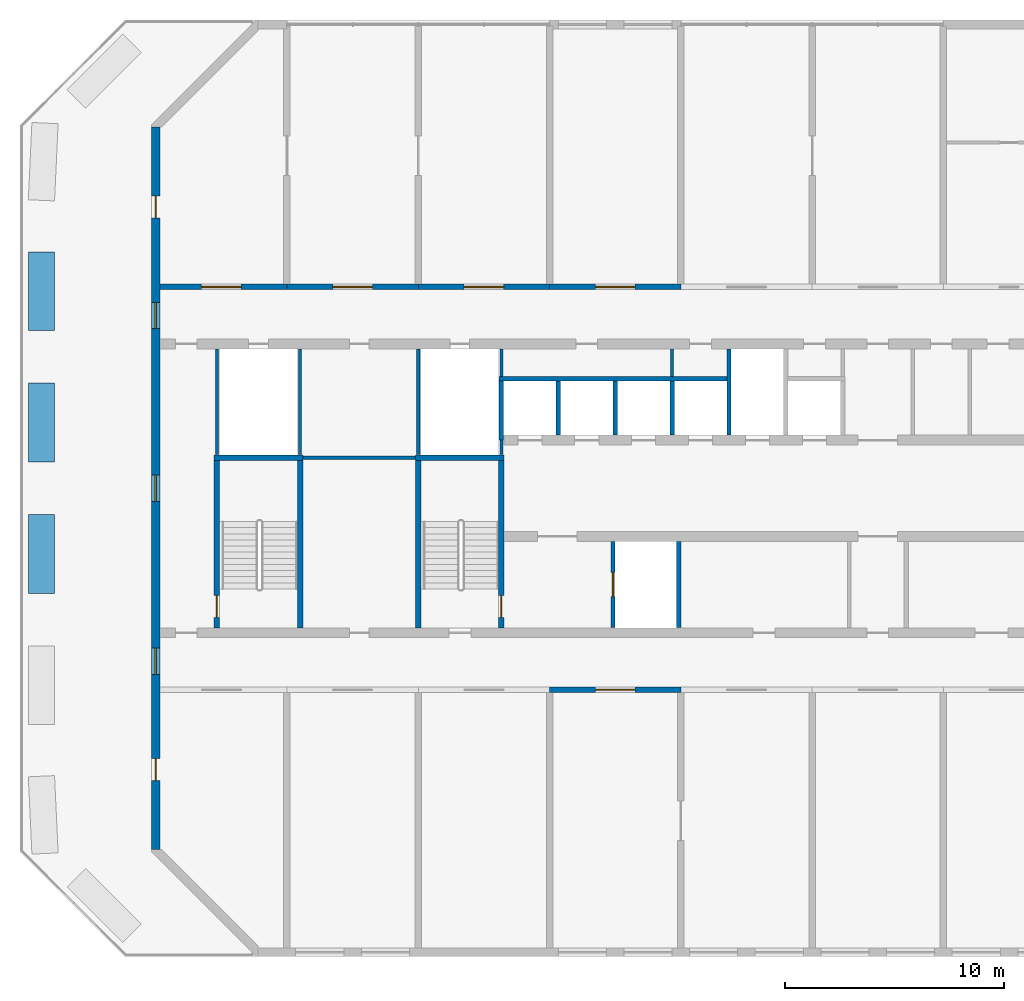
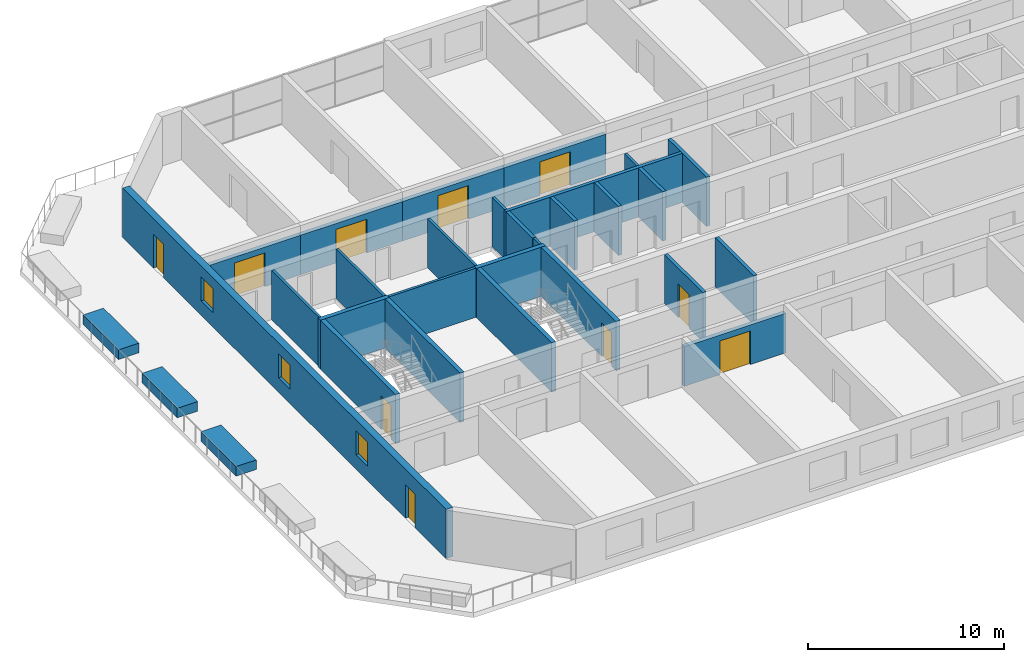
# One storey, part 4 of 14: 30 walls, 10 doors, 3 windows, 13 openings.
"""IFC4 building model written with IfcOpenShell, lengths in metres."""

from ifc_helpers import new_model, si_unit, direction, frame, frame_2d, origin, place, context, subcontext, project, spatial, polyline, rectangle, outline, extrude, source, transform, mapped, material, layer, layer_set, type_object, element, fill, save


model = new_model("IFC4")

# Units and contexts
model_context = context("Model", 3, precision=1e-05, world=origin(), true_north=direction((0.0, 1.0)))
body_context = subcontext(model_context, "Body", "Model", "MODEL_VIEW")
ifc_project = project(units=[si_unit("LENGTHUNIT", "METRE"), si_unit("AREAUNIT", "SQUARE_METRE"), si_unit("VOLUMEUNIT", "CUBIC_METRE"), si_unit("PLANEANGLEUNIT", "RADIAN"), si_unit("MASSUNIT", "GRAM", prefix="KILO")], contexts=[model_context])

# Site, building, storey
site_placement = place(None, origin())
site = spatial("IfcSite", under=ifc_project, at=site_placement, CompositionType="ELEMENT")
building_placement = place(site_placement, origin())
building = spatial("IfcBuilding", under=site, at=building_placement, Name="Poui Terraces", CompositionType="ELEMENT")
storey_placement = place(building_placement, frame((0.0, 0.0, 158.699951171875)))
storey = spatial("IfcBuildingStorey", under=building, at=storey_placement, Name="L44", CompositionType="ELEMENT", Elevation=158.699951171875)

# Wall, opening, door
ifc_material_1 = material(Name="Concrete 65 MPa", Category="concrete")
ifc_layer_1 = layer(ifc_material_1, 0.25)
ifc_layer_set_1 = layer_set([ifc_layer_1], Name="Concrete 65 MPa")
wall_type_1 = type_object("IfcWallType", Name="CORRIDOR WALL 250 65MPa", PredefinedType="SHEAR", material=ifc_layer_set_1)
wall_1_placement = place(storey_placement, frame((36.0, 12.0, 0.0), z_axis=(0.0, 0.0, 1.0), x_axis=(1.0, 0.0, 0.0)))
wall_1 = element("IfcWall", 1, at=wall_1_placement, inside=storey, type_object=wall_type_1, Name="CORRIDOR WALL LINE B BAY 4", PredefinedType="SHEAR", context=body_context, shape_type="SweptSolid", body=[
    extrude(rectangle(XDim=6.0, YDim=0.25, at=frame_2d((3.0, 0.0))), origin(), (0.0, 0.0, 1.0), 2.469970703125),
])
opening_1_placement = place(wall_1_placement, frame((2.10009765625, 0.0, 0.0)))
opening_1 = element("IfcOpeningElement", 2, at=opening_1_placement, cuts=wall_1, Name="Opening DD180", PredefinedType="OPENING", context=body_context, shape_type="SweptSolid", body=[
    extrude(rectangle(XDim=1.800048828125, YDim=2.10009765625, at=frame_2d((0.89990234375, 1.050048828125))), frame((0.0, 0.135009765625, 0.0), z_axis=(0.0, -1.0, 0.0), x_axis=(1.0, 0.0, 0.0)), (0.0, 0.0, 1.0), 0.27001953125),
])
ifc_material_2 = material(Name="Steel fire door", Category="steel")
door_type_1 = type_object("IfcDoorType", Name="DOUBLE INTERNAL DOOR 1800 X 2100", OperationType="DOUBLE_DOOR_SINGLE_SWING", PredefinedType="DOOR", material=ifc_material_2)
door_1_placement = place(opening_1_placement, origin())
door_1 = element("IfcDoor", 3, at=door_1_placement, inside=storey, type_object=door_type_1, Name="DOUBLE INTERNAL DOOR 035", OperationType="DOUBLE_DOOR_SINGLE_SWING", OverallHeight=2.10009765625, OverallWidth=1.800048828125, PredefinedType="DOOR", context=body_context, shape_type="SweptSolid", body=[
    extrude(rectangle(XDim=1.800048828125, YDim=2.10009765625, at=frame_2d((0.89990234375, 1.050048828125))), frame((0.0, 0.02490234375, 0.0), z_axis=(0.0, -1.0, 0.0), x_axis=(1.0, 0.0, 0.0)), (0.0, 0.0, 1.0), 0.050048828125),
])
fill(opening_1, door_1)

wall_2_placement = place(storey_placement, frame((18.199951171875, 30.39990234375, 0.0), z_axis=(0.0, 0.0, 1.0), x_axis=(1.0, 0.0, 0.0)))
wall_2 = element("IfcWall", 4, at=wall_2_placement, inside=storey, type_object=wall_type_1, Name="CORRIDOR WALL LINE E BAY 1", PredefinedType="SHEAR", context=body_context, shape_type="SweptSolid", body=[
    extrude(rectangle(XDim=5.800048828125, YDim=0.25, at=frame_2d((2.89990234375, 0.0))), origin(), (0.0, 0.0, 1.0), 2.469970703125),
])
opening_2_placement = place(wall_2_placement, frame((1.89990234375, 0.0, 0.0)))
opening_2 = element("IfcOpeningElement", 5, at=opening_2_placement, cuts=wall_2, Name="Opening DD180", PredefinedType="OPENING", context=body_context, shape_type="SweptSolid", body=[
    extrude(rectangle(XDim=1.800048828125, YDim=2.10009765625, at=frame_2d((0.89990234375, 1.050048828125))), frame((0.0, 0.135009765625, 0.0), z_axis=(0.0, -1.0, 0.0), x_axis=(1.0, 0.0, 0.0)), (0.0, 0.0, 1.0), 0.27001953125),
])
door_2_placement = place(opening_2_placement, frame((1.800048828125, 0.0, 0.0), z_axis=(0.0, 0.0, 1.0), x_axis=(-1.0, 0.0, 0.0)))
door_2 = element("IfcDoor", 6, at=door_2_placement, inside=storey, type_object=door_type_1, Name="DOUBLE INTERNAL DOOR 002", OperationType="DOUBLE_DOOR_SINGLE_SWING", OverallHeight=2.10009765625, OverallWidth=1.800048828125, PredefinedType="DOOR", context=body_context, shape_type="SweptSolid", body=[
    extrude(rectangle(XDim=1.800048828125, YDim=2.10009765625, at=frame_2d((0.89990234375, 1.050048828125))), frame((0.0, 0.02490234375, 0.0), z_axis=(0.0, -1.0, 0.0), x_axis=(1.0, 0.0, 0.0)), (0.0, 0.0, 1.0), 0.050048828125),
])
fill(opening_2, door_2)

wall_3_placement = place(storey_placement, frame((24.0, 30.39990234375, 0.0), z_axis=(0.0, 0.0, 1.0), x_axis=(1.0, 0.0, 0.0)))
wall_3 = element("IfcWall", 7, at=wall_3_placement, inside=storey, type_object=wall_type_1, Name="CORRIDOR WALL LINE E BAY 2", PredefinedType="SHEAR", context=body_context, shape_type="SweptSolid", body=[
    extrude(rectangle(XDim=6.0, YDim=0.25, at=frame_2d((3.0, 0.0))), origin(), (0.0, 0.0, 1.0), 2.469970703125),
])
opening_3_placement = place(wall_3_placement, frame((2.10009765625, 0.0, 0.0)))
opening_3 = element("IfcOpeningElement", 8, at=opening_3_placement, cuts=wall_3, Name="Opening DD180", PredefinedType="OPENING", context=body_context, shape_type="SweptSolid", body=[
    extrude(rectangle(XDim=1.800048828125, YDim=2.10009765625, at=frame_2d((0.89990234375, 1.050048828125))), frame((0.0, 0.135009765625, 0.0), z_axis=(0.0, -1.0, 0.0), x_axis=(1.0, 0.0, 0.0)), (0.0, 0.0, 1.0), 0.27001953125),
])
door_3_placement = place(opening_3_placement, frame((1.800048828125, 0.0, 0.0), z_axis=(0.0, 0.0, 1.0), x_axis=(-1.0, 0.0, 0.0)))
door_3 = element("IfcDoor", 9, at=door_3_placement, inside=storey, type_object=door_type_1, Name="DOUBLE INTERNAL DOOR 004", OperationType="DOUBLE_DOOR_SINGLE_SWING", OverallHeight=2.10009765625, OverallWidth=1.800048828125, PredefinedType="DOOR", context=body_context, shape_type="SweptSolid", body=[
    extrude(rectangle(XDim=1.800048828125, YDim=2.10009765625, at=frame_2d((0.89990234375, 1.050048828125))), frame((0.0, 0.02490234375, 0.0), z_axis=(0.0, -1.0, 0.0), x_axis=(1.0, 0.0, 0.0)), (0.0, 0.0, 1.0), 0.050048828125),
])
fill(opening_3, door_3)

wall_4_placement = place(storey_placement, frame((30.0, 30.39990234375, 0.0), z_axis=(0.0, 0.0, 1.0), x_axis=(1.0, 0.0, 0.0)))
wall_4 = element("IfcWall", 10, at=wall_4_placement, inside=storey, type_object=wall_type_1, Name="CORRIDOR WALL LINE E BAY 3", PredefinedType="SHEAR", context=body_context, shape_type="SweptSolid", body=[
    extrude(rectangle(XDim=6.0, YDim=0.25, at=frame_2d((3.0, 0.0))), origin(), (0.0, 0.0, 1.0), 2.469970703125),
])
opening_4_placement = place(wall_4_placement, frame((2.10009765625, 0.0, 0.0)))
opening_4 = element("IfcOpeningElement", 11, at=opening_4_placement, cuts=wall_4, Name="Opening DD180", PredefinedType="OPENING", context=body_context, shape_type="SweptSolid", body=[
    extrude(rectangle(XDim=1.800048828125, YDim=2.10009765625, at=frame_2d((0.89990234375, 1.050048828125))), frame((0.0, 0.135009765625, 0.0), z_axis=(0.0, -1.0, 0.0), x_axis=(1.0, 0.0, 0.0)), (0.0, 0.0, 1.0), 0.27001953125),
])
door_4_placement = place(opening_4_placement, frame((1.800048828125, 0.0, 0.0), z_axis=(0.0, 0.0, 1.0), x_axis=(-1.0, 0.0, 0.0)))
door_4 = element("IfcDoor", 12, at=door_4_placement, inside=storey, type_object=door_type_1, Name="DOUBLE INTERNAL DOOR 007", OperationType="DOUBLE_DOOR_SINGLE_SWING", OverallHeight=2.10009765625, OverallWidth=1.800048828125, PredefinedType="DOOR", context=body_context, shape_type="SweptSolid", body=[
    extrude(rectangle(XDim=1.800048828125, YDim=2.10009765625, at=frame_2d((0.89990234375, 1.050048828125))), frame((0.0, 0.02490234375, 0.0), z_axis=(0.0, -1.0, 0.0), x_axis=(1.0, 0.0, 0.0)), (0.0, 0.0, 1.0), 0.050048828125),
])
fill(opening_4, door_4)

wall_5_placement = place(storey_placement, frame((36.0, 30.39990234375, 0.0), z_axis=(0.0, 0.0, 1.0), x_axis=(1.0, 0.0, 0.0)))
wall_5 = element("IfcWall", 13, at=wall_5_placement, inside=storey, type_object=wall_type_1, Name="CORRIDOR WALL LINE E BAY 4", PredefinedType="SHEAR", context=body_context, shape_type="SweptSolid", body=[
    extrude(rectangle(XDim=6.0, YDim=0.25, at=frame_2d((3.0, 0.0))), origin(), (0.0, 0.0, 1.0), 2.469970703125),
])
opening_5_placement = place(wall_5_placement, frame((2.10009765625, 0.0, 0.0)))
opening_5 = element("IfcOpeningElement", 14, at=opening_5_placement, cuts=wall_5, Name="Opening DD180", PredefinedType="OPENING", context=body_context, shape_type="SweptSolid", body=[
    extrude(rectangle(XDim=1.800048828125, YDim=2.10009765625, at=frame_2d((0.89990234375, 1.050048828125))), frame((0.0, 0.135009765625, 0.0), z_axis=(0.0, -1.0, 0.0), x_axis=(1.0, 0.0, 0.0)), (0.0, 0.0, 1.0), 0.27001953125),
])
door_5_placement = place(opening_5_placement, frame((1.800048828125, 0.0, 0.0), z_axis=(0.0, 0.0, 1.0), x_axis=(-1.0, 0.0, 0.0)))
door_5 = element("IfcDoor", 15, at=door_5_placement, inside=storey, type_object=door_type_1, Name="DOUBLE INTERNAL DOOR 009", OperationType="DOUBLE_DOOR_SINGLE_SWING", OverallHeight=2.10009765625, OverallWidth=1.800048828125, PredefinedType="DOOR", context=body_context, shape_type="SweptSolid", body=[
    extrude(rectangle(XDim=1.800048828125, YDim=2.10009765625, at=frame_2d((0.89990234375, 1.050048828125))), frame((0.0, 0.02490234375, 0.0), z_axis=(0.0, -1.0, 0.0), x_axis=(1.0, 0.0, 0.0)), (0.0, 0.0, 1.0), 0.050048828125),
])
fill(opening_5, door_5)

# Wall, openings, doors, windows
ifc_layer_2 = layer(ifc_material_1, 0.39990234375)
ifc_layer_set_2 = layer_set([ifc_layer_2], Name="Concrete 65 MPa")
wall_type_2 = type_object("IfcWallType", Name="END WALL 400 65MPa", PredefinedType="SHEAR", material=ifc_layer_set_2)
wall_6_placement = place(storey_placement, frame((18.0, 4.682861328125, 0.0), z_axis=(0.0, 0.0, 1.0), x_axis=(0.0, 1.0, 0.0)))
wall_6 = element("IfcWall", 16, at=wall_6_placement, inside=storey, type_object=wall_type_2, Name="END WALL WEST", PredefinedType="SHEAR", context=body_context, shape_type="SweptSolid", body=[
    extrude(rectangle(XDim=33.034423828125, YDim=0.39990234375, at=frame_2d((16.51708984375, 0.0))), origin(), (0.0, 0.0, 1.0), 3.070068359375),
])
opening_6_placement = place(wall_6_placement, frame((23.817138671875, 0.0, 0.89990234375)))
opening_6 = element("IfcOpeningElement", 17, at=opening_6_placement, cuts=wall_6, Name="Opening W2", PredefinedType="OPENING", context=body_context, shape_type="SweptSolid", body=[
    extrude(rectangle(XDim=1.199951171875, YDim=1.5, at=frame_2d((0.60009765625, 0.75))), frame((0.0, 0.2099609375, 0.0), z_axis=(0.0, -1.0, 0.0), x_axis=(1.0, 0.0, 0.0)), (0.0, 0.0, 1.0), 0.419921875),
])
opening_7_placement = place(wall_6_placement, frame((8.01708984375, 0.0, 0.89990234375)))
opening_7 = element("IfcOpeningElement", 18, at=opening_7_placement, cuts=wall_6, Name="Opening W2", PredefinedType="OPENING", context=body_context, shape_type="SweptSolid", body=[
    extrude(rectangle(XDim=1.199951171875, YDim=1.5, at=frame_2d((0.60009765625, 0.75))), frame((0.0, 0.2099609375, 0.0), z_axis=(0.0, -1.0, 0.0), x_axis=(1.0, 0.0, 0.0)), (0.0, 0.0, 1.0), 0.419921875),
])
opening_8_placement = place(wall_6_placement, frame((15.917236328125, 0.0, 0.89990234375)))
opening_8 = element("IfcOpeningElement", 19, at=opening_8_placement, cuts=wall_6, Name="Opening W2", PredefinedType="OPENING", context=body_context, shape_type="SweptSolid", body=[
    extrude(rectangle(XDim=1.199951171875, YDim=1.5, at=frame_2d((0.60009765625, 0.75))), frame((0.0, 0.2099609375, 0.0), z_axis=(0.0, -1.0, 0.0), x_axis=(1.0, 0.0, 0.0)), (0.0, 0.0, 1.0), 0.419921875),
])
opening_9_placement = place(wall_6_placement, frame((28.875732421875, 0.0, 0.0)))
opening_9 = element("IfcOpeningElement", 20, at=opening_9_placement, cuts=wall_6, Name="Opening XD100", PredefinedType="OPENING", context=body_context, shape_type="SweptSolid", body=[
    extrude(rectangle(XDim=1.0, YDim=2.10009765625, at=frame_2d((0.5, 1.050048828125))), frame((0.0, 0.2099609375, 0.0), z_axis=(0.0, -1.0, 0.0), x_axis=(1.0, 0.0, 0.0)), (0.0, 0.0, 1.0), 0.419921875),
])
opening_10_placement = place(wall_6_placement, frame((3.15869140625, 0.0, 0.0)))
opening_10 = element("IfcOpeningElement", 21, at=opening_10_placement, cuts=wall_6, Name="Opening XD100", PredefinedType="OPENING", context=body_context, shape_type="SweptSolid", body=[
    extrude(rectangle(XDim=1.0, YDim=2.10009765625, at=frame_2d((0.5, 1.050048828125))), frame((0.0, 0.2099609375, 0.0), z_axis=(0.0, -1.0, 0.0), x_axis=(1.0, 0.0, 0.0)), (0.0, 0.0, 1.0), 0.419921875),
])
ifc_material_3 = material(Name="Aluminium glazed door", Category="aluminium")
door_type_2 = type_object("IfcDoorType", Name="EXTERNAL DOOR 1000 X 2100", OperationType="NOTDEFINED", PredefinedType="DOOR", material=ifc_material_3)
door_6_placement = place(opening_9_placement, origin())
door_6 = element("IfcDoor", 22, at=door_6_placement, inside=storey, type_object=door_type_2, Name="EXTERNAL DOOR 049", OperationType="SINGLE_SWING_RIGHT", OverallHeight=2.10009765625, OverallWidth=1.0, PredefinedType="DOOR", context=body_context, shape_type="SweptSolid", body=[
    extrude(rectangle(XDim=1.0, YDim=2.10009765625, at=frame_2d((0.5, 1.050048828125))), frame((0.0, 0.02490234375, 0.0), z_axis=(0.0, -1.0, 0.0), x_axis=(1.0, 0.0, 0.0)), (0.0, 0.0, 1.0), 0.050048828125),
])
fill(opening_9, door_6)
door_7_placement = place(opening_10_placement, origin())
door_7 = element("IfcDoor", 23, at=door_7_placement, inside=storey, type_object=door_type_2, Name="EXTERNAL DOOR 058", OperationType="SINGLE_SWING_RIGHT", OverallHeight=2.10009765625, OverallWidth=1.0, PredefinedType="DOOR", context=body_context, shape_type="SweptSolid", body=[
    extrude(rectangle(XDim=1.0, YDim=2.10009765625, at=frame_2d((0.5, 1.050048828125))), frame((0.0, 0.02490234375, 0.0), z_axis=(0.0, -1.0, 0.0), x_axis=(1.0, 0.0, 0.0)), (0.0, 0.0, 1.0), 0.050048828125),
])
fill(opening_10, door_7)
ifc_material_4 = material(Name="Clear glass in aluminium frame", Category="aluminium")
window_type = type_object("IfcWindowType", Name="WINDOW 1200X1500", PartitioningType="SINGLE_PANEL", PredefinedType="WINDOW", material=ifc_material_4)
window_1_placement = place(opening_6_placement, origin())
window_1 = element("IfcWindow", 24, at=window_1_placement, inside=storey, type_object=window_type, Name="W2 WINDOW", OverallHeight=1.5, OverallWidth=1.199951171875, PartitioningType="SINGLE_PANEL", PredefinedType="WINDOW", context=body_context, shape_type="SweptSolid", body=[
    extrude(rectangle(XDim=1.199951171875, YDim=1.5, at=frame_2d((0.60009765625, 0.75))), frame((0.0, 0.030029296875, 0.0), z_axis=(0.0, -1.0, 0.0), x_axis=(1.0, 0.0, 0.0)), (0.0, 0.0, 1.0), 0.06005859375),
])
fill(opening_6, window_1)
window_2_placement = place(opening_7_placement, origin())
window_2 = element("IfcWindow", 25, at=window_2_placement, inside=storey, type_object=window_type, Name="W2 WINDOW", OverallHeight=1.5, OverallWidth=1.199951171875, PartitioningType="SINGLE_PANEL", PredefinedType="WINDOW", context=body_context, shape_type="SweptSolid", body=[
    extrude(rectangle(XDim=1.199951171875, YDim=1.5, at=frame_2d((0.60009765625, 0.75))), frame((0.0, 0.030029296875, 0.0), z_axis=(0.0, -1.0, 0.0), x_axis=(1.0, 0.0, 0.0)), (0.0, 0.0, 1.0), 0.06005859375),
])
fill(opening_7, window_2)
window_3_placement = place(opening_8_placement, origin())
window_3 = element("IfcWindow", 26, at=window_3_placement, inside=storey, type_object=window_type, Name="W2 WINDOW", OverallHeight=1.5, OverallWidth=1.199951171875, PartitioningType="SINGLE_PANEL", PredefinedType="WINDOW", context=body_context, shape_type="SweptSolid", body=[
    extrude(rectangle(XDim=1.199951171875, YDim=1.5, at=frame_2d((0.60009765625, 0.75))), frame((0.0, 0.030029296875, 0.0), z_axis=(0.0, -1.0, 0.0), x_axis=(1.0, 0.0, 0.0)), (0.0, 0.0, 1.0), 0.06005859375),
])
fill(opening_8, window_3)

# Walls
ifc_material_5 = material(Name="Plasterboard partition")
ifc_layer_3 = layer(ifc_material_5, 0.14990234375)
ifc_layer_set_3 = layer_set([ifc_layer_3], Name="Plasterboard partition")
wall_type_3 = type_object("IfcWallType", Name="PARTITION WALL 150", PredefinedType="PARTITIONING", material=ifc_layer_set_3)
wall_7_placement = place(storey_placement, frame((24.735107421875, 22.60009765625, 0.0), z_axis=(0.0, 0.0, 1.0), x_axis=(1.0, 0.0, 0.0)))
element("IfcWall", 27, at=wall_7_placement, inside=storey, type_object=wall_type_3, Name="PARTITION WALL 150", PredefinedType="PARTITIONING", context=body_context, shape_type="SweptSolid", body=[
    extrude(rectangle(XDim=5.1298828125, YDim=0.14990234375, at=frame_2d((2.56494140625, 0.0))), origin(), (0.0, 0.0, 1.0), 3.070068359375),
])
wall_8_placement = place(storey_placement, frame((41.60009765625, 26.300048828125, 0.0), z_axis=(0.0, 0.0, 1.0), x_axis=(0.0, 1.0, 0.0)))
element("IfcWall", 28, at=wall_8_placement, inside=storey, type_object=wall_type_3, Name="PARTITION WALL 150", PredefinedType="PARTITIONING", context=body_context, shape_type="SweptSolid", body=[
    extrude(rectangle(XDim=1.264892578125, YDim=0.14990234375, at=frame_2d((0.63232421875, 0.0))), origin(), (0.0, 0.0, 1.0), 3.070068359375),
])
ifc_material_6 = material(Name="Fire-rated plasterboard riser wall")
ifc_layer_4 = layer(ifc_material_6, 0.14990234375)
ifc_layer_set_4 = layer_set([ifc_layer_4], Name="Fire-rated plasterboard riser wall")
wall_type_4 = type_object("IfcWallType", Name="RISER WALL 150", PredefinedType="PARTITIONING", material=ifc_layer_set_4)
for number, where, z_axis, x_axis, name in (
    (29, (20.800048828125, 22.735107421875, 0.0), (0.0, 0.0, 1.0), (0.0, 1.0, 0.0), "RISER WALL 150"),
    (30, (24.60009765625, 22.735107421875, 0.0), (0.0, 0.0, 1.0), (0.0, 1.0, 0.0), "RISER WALL 150"),
    (31, (30.0, 22.735107421875, 0.0), (0.0, 0.0, 1.0), (0.0, 1.0, 0.0), "RISER WALL 150"),
):
    element("IfcWall", number, at=place(storey_placement, frame(where, z_axis=z_axis, x_axis=x_axis)), inside=storey, type_object=wall_type_4, Name=name, PredefinedType="PARTITIONING", context=body_context, shape_type="SweptSolid", body=[
        extrude(rectangle(XDim=4.829833984375, YDim=0.14990234375, at=frame_2d((2.4150390625, 0.0))), origin(), (0.0, 0.0, 1.0), 3.070068359375),
    ])
wall_9_placement = place(storey_placement, frame((33.800048828125, 22.735107421875, 0.0), z_axis=(0.0, 0.0, 1.0), x_axis=(0.0, 1.0, 0.0)))
element("IfcWall", 32, at=wall_9_placement, inside=storey, type_object=wall_type_4, Name="RISER WALL 150", PredefinedType="PARTITIONING", context=body_context, shape_type="SweptSolid", body=[
    extrude(rectangle(XDim=0.664794921875, YDim=0.14990234375, at=frame_2d((0.33251953125, 0.0))), origin(), (0.0, 0.0, 1.0), 3.070068359375),
])
wall_10_placement = place(storey_placement, frame((33.800048828125, 26.300048828125, 0.0), z_axis=(0.0, 0.0, 1.0), x_axis=(0.0, 1.0, 0.0)))
element("IfcWall", 33, at=wall_10_placement, inside=storey, type_object=wall_type_4, Name="RISER WALL 150", PredefinedType="PARTITIONING", context=body_context, shape_type="SweptSolid", body=[
    extrude(rectangle(XDim=1.264892578125, YDim=0.14990234375, at=frame_2d((0.63232421875, 0.0))), origin(), (0.0, 0.0, 1.0), 3.070068359375),
])
ifc_material_7 = material(Name="Fire-rated masonry shaft wall", Category="masonry")
ifc_layer_5 = layer(ifc_material_7, 0.199951171875)
ifc_layer_set_5 = layer_set([ifc_layer_5], Name="Fire-rated masonry shaft wall")
wall_type_5 = type_object("IfcWallType", Name="SHAFT WALL 200", PredefinedType="PARTITIONING", material=ifc_layer_set_5)
wall_11_placement = place(storey_placement, frame((33.699951171875, 26.199951171875, 0.0), z_axis=(0.0, 0.0, 1.0), x_axis=(1.0, 0.0, 0.0)))
element("IfcWall", 34, at=wall_11_placement, inside=storey, type_object=wall_type_5, Name="SHAFT WALL 200", PredefinedType="PARTITIONING", context=body_context, shape_type="SweptSolid", body=[
    extrude(rectangle(XDim=10.400146484375, YDim=0.199951171875, at=frame_2d((5.2001953125, 0.0))), origin(), (0.0, 0.0, 1.0), 3.070068359375),
])
wall_12_placement = place(storey_placement, frame((33.800048828125, 23.39990234375, 0.0), z_axis=(0.0, 0.0, 1.0), x_axis=(0.0, 1.0, 0.0)))
element("IfcWall", 35, at=wall_12_placement, inside=storey, type_object=wall_type_5, Name="SHAFT WALL 200", PredefinedType="PARTITIONING", context=body_context, shape_type="SweptSolid", body=[
    extrude(rectangle(XDim=2.7001953125, YDim=0.199951171875, at=frame_2d((1.35009765625, 0.0))), origin(), (0.0, 0.0, 1.0), 3.070068359375),
])
wall_13_placement = place(storey_placement, frame((36.39990234375, 23.635009765625, 0.0), z_axis=(0.0, 0.0, 1.0), x_axis=(0.0, 1.0, 0.0)))
element("IfcWall", 36, at=wall_13_placement, inside=storey, type_object=wall_type_5, Name="SHAFT WALL 200", PredefinedType="PARTITIONING", context=body_context, shape_type="SweptSolid", body=[
    extrude(rectangle(XDim=2.465087890625, YDim=0.199951171875, at=frame_2d((1.232421875, 0.0))), origin(), (0.0, 0.0, 1.0), 3.070068359375),
])

# Wall, opening, door
wall_14_placement = place(storey_placement, frame((38.89990234375, 14.8349609375, 0.0), z_axis=(0.0, 0.0, 1.0), x_axis=(0.0, 1.0, 0.0)))
wall_14 = element("IfcWall", 37, at=wall_14_placement, inside=storey, type_object=wall_type_5, Name="SHAFT WALL 200", PredefinedType="PARTITIONING", context=body_context, shape_type="SweptSolid", body=[
    extrude(rectangle(XDim=3.929931640625, YDim=0.199951171875, at=frame_2d((1.96484375, 0.0))), origin(), (0.0, 0.0, 1.0), 3.070068359375),
])
opening_11_placement = place(wall_14_placement, frame((1.4150390625, 0.0, 0.0)))
opening_11 = element("IfcOpeningElement", 38, at=opening_11_placement, cuts=wall_14, Name="Opening LD", PredefinedType="OPENING", context=body_context, shape_type="SweptSolid", body=[
    extrude(rectangle(XDim=1.10009765625, YDim=2.10009765625, at=frame_2d((0.550048828125, 1.050048828125))), frame((0.0, 0.10986328125, 0.0), z_axis=(0.0, -1.0, 0.0), x_axis=(1.0, 0.0, 0.0)), (0.0, 0.0, 1.0), 0.219970703125),
])
ifc_material_8 = material(Name="Stainless steel sliding door", Category="steel")
door_type_3 = type_object("IfcDoorType", Name="LIFT LANDING DOOR 1100 X 2100", OperationType="DOUBLE_DOOR_SLIDING", PredefinedType="DOOR", material=ifc_material_8)
door_8_placement = place(opening_11_placement, origin())
door_8 = element("IfcDoor", 39, at=door_8_placement, inside=storey, type_object=door_type_3, Name="LANDING DOOR", OperationType="DOUBLE_DOOR_SLIDING", OverallHeight=2.10009765625, OverallWidth=1.10009765625, PredefinedType="DOOR", context=body_context, shape_type="SweptSolid", body=[
    extrude(rectangle(XDim=1.10009765625, YDim=2.10009765625, at=frame_2d((0.550048828125, 1.050048828125))), frame((0.0, 0.02490234375, 0.0), z_axis=(0.0, -1.0, 0.0), x_axis=(1.0, 0.0, 0.0)), (0.0, 0.0, 1.0), 0.050048828125),
])
fill(opening_11, door_8)

# Walls
for number, where, z_axis, x_axis, name in (
    (40, (39.0, 23.635009765625, 0.0), (0.0, 0.0, 1.0), (0.0, 1.0, 0.0), "SHAFT WALL 200"),
    (41, (41.60009765625, 23.635009765625, 0.0), (0.0, 0.0, 1.0), (0.0, 1.0, 0.0), "SHAFT WALL 200"),
):
    element("IfcWall", number, at=place(storey_placement, frame(where, z_axis=z_axis, x_axis=x_axis)), inside=storey, type_object=wall_type_5, Name=name, PredefinedType="PARTITIONING", context=body_context, shape_type="SweptSolid", body=[
        extrude(rectangle(XDim=2.465087890625, YDim=0.199951171875, at=frame_2d((1.232421875, 0.0))), origin(), (0.0, 0.0, 1.0), 3.070068359375),
    ])
for number, where, z_axis, x_axis, name in (
    (42, (41.89990234375, 14.8349609375, 0.0), (0.0, 0.0, 1.0), (0.0, 1.0, 0.0), "SHAFT WALL 200"),
    (43, (44.199951171875, 23.635009765625, 0.0), (0.0, 0.0, 1.0), (0.0, 1.0, 0.0), "SHAFT WALL 200"),
):
    element("IfcWall", number, at=place(storey_placement, frame(where, z_axis=z_axis, x_axis=x_axis)), inside=storey, type_object=wall_type_5, Name=name, PredefinedType="PARTITIONING", context=body_context, shape_type="SweptSolid", body=[
        extrude(rectangle(XDim=3.929931640625, YDim=0.199951171875, at=frame_2d((1.96484375, 0.0))), origin(), (0.0, 0.0, 1.0), 3.070068359375),
    ])
ifc_layer_6 = layer(ifc_material_1, 0.25)
ifc_layer_set_6 = layer_set([ifc_layer_6], Name="Concrete 65 MPa")
wall_type_6 = type_object("IfcWallType", Name="STAIR CORE WALL 250 65 MPA", PredefinedType="SOLIDWALL", material=ifc_layer_set_6)
wall_15_placement = place(storey_placement, frame((30.0, 14.824951171875, 0.0), z_axis=(0.0, 0.0, 1.0), x_axis=(0.0, 1.0, 0.0)))
element("IfcWall", 44, at=wall_15_placement, inside=storey, type_object=wall_type_6, Name="STAIR CORE WALL", PredefinedType="SOLIDWALL", context=body_context, shape_type="SweptSolid", body=[
    extrude(rectangle(XDim=7.650146484375, YDim=0.25, at=frame_2d((3.8251953125, 0.0))), origin(), (0.0, 0.0, 1.0), 3.070068359375),
])

# Wall, opening, door
wall_16_placement = place(storey_placement, frame((33.800048828125, 14.824951171875, 0.0), z_axis=(0.0, 0.0, 1.0), x_axis=(0.0, 1.0, 0.0)))
wall_16 = element("IfcWall", 45, at=wall_16_placement, inside=storey, type_object=wall_type_6, Name="STAIR CORE WALL", PredefinedType="SOLIDWALL", context=body_context, shape_type="SweptSolid", body=[
    extrude(rectangle(XDim=7.650146484375, YDim=0.25, at=frame_2d((3.8251953125, 0.0))), origin(), (0.0, 0.0, 1.0), 3.070068359375),
])
opening_12_placement = place(wall_16_placement, frame((0.47509765625, 0.0, 0.0)))
opening_12 = element("IfcOpeningElement", 46, at=opening_12_placement, cuts=wall_16, Name="Opening FD60S", PredefinedType="OPENING", context=body_context, shape_type="SweptSolid", body=[
    extrude(rectangle(XDim=1.0, YDim=2.10009765625, at=frame_2d((0.5, 1.050048828125))), frame((0.0, 0.135009765625, 0.0), z_axis=(0.0, -1.0, 0.0), x_axis=(1.0, 0.0, 0.0)), (0.0, 0.0, 1.0), 0.27001953125),
])
door_type_4 = type_object("IfcDoorType", Name="STAIR DOOR 1000 X 2100", OperationType="NOTDEFINED", PredefinedType="DOOR", material=ifc_material_2)
door_9_placement = place(opening_12_placement, origin())
door_9 = element("IfcDoor", 47, at=door_9_placement, inside=storey, type_object=door_type_4, Name="STAIR DOOR 066", OperationType="SINGLE_SWING_LEFT", OverallHeight=2.10009765625, OverallWidth=1.0, PredefinedType="DOOR", context=body_context, shape_type="SweptSolid", body=[
    extrude(rectangle(XDim=1.0, YDim=2.10009765625, at=frame_2d((0.5, 1.050048828125))), frame((0.0, 0.02490234375, 0.0), z_axis=(0.0, -1.0, 0.0), x_axis=(1.0, 0.0, 0.0)), (0.0, 0.0, 1.0), 0.050048828125),
])
fill(opening_12, door_9)

# Wall
wall_17_placement = place(storey_placement, frame((29.875, 22.60009765625, 0.0), z_axis=(0.0, 0.0, 1.0), x_axis=(1.0, 0.0, 0.0)))
element("IfcWall", 48, at=wall_17_placement, inside=storey, type_object=wall_type_6, Name="STAIR CORE WALL", PredefinedType="SOLIDWALL", context=body_context, shape_type="SweptSolid", body=[
    extrude(rectangle(XDim=4.050048828125, YDim=0.25, at=frame_2d((2.02490234375, 0.0))), origin(), (0.0, 0.0, 1.0), 3.070068359375),
])

# Wall, opening, door
wall_18_placement = place(storey_placement, frame((20.800048828125, 14.824951171875, 0.0), z_axis=(0.0, 0.0, 1.0), x_axis=(0.0, 1.0, 0.0)))
wall_18 = element("IfcWall", 49, at=wall_18_placement, inside=storey, type_object=wall_type_6, Name="STAIR CORE WALL", PredefinedType="SOLIDWALL", context=body_context, shape_type="SweptSolid", body=[
    extrude(rectangle(XDim=7.650146484375, YDim=0.25, at=frame_2d((3.8251953125, 0.0))), origin(), (0.0, 0.0, 1.0), 3.070068359375),
])
opening_13_placement = place(wall_18_placement, frame((0.47509765625, 0.0, 0.0)))
opening_13 = element("IfcOpeningElement", 50, at=opening_13_placement, cuts=wall_18, Name="Opening FD60S", PredefinedType="OPENING", context=body_context, shape_type="SweptSolid", body=[
    extrude(rectangle(XDim=1.0, YDim=2.10009765625, at=frame_2d((0.5, 1.050048828125))), frame((0.0, 0.135009765625, 0.0), z_axis=(0.0, -1.0, 0.0), x_axis=(1.0, 0.0, 0.0)), (0.0, 0.0, 1.0), 0.27001953125),
])
door_10_placement = place(opening_13_placement, frame((1.0, 0.0, 0.0), z_axis=(0.0, 0.0, 1.0), x_axis=(-1.0, 0.0, 0.0)))
door_10 = element("IfcDoor", 51, at=door_10_placement, inside=storey, type_object=door_type_4, Name="STAIR DOOR 080", OperationType="SINGLE_SWING_RIGHT", OverallHeight=2.10009765625, OverallWidth=1.0, PredefinedType="DOOR", context=body_context, shape_type="SweptSolid", body=[
    extrude(rectangle(XDim=1.0, YDim=2.10009765625, at=frame_2d((0.5, 1.050048828125))), frame((0.0, 0.02490234375, 0.0), z_axis=(0.0, -1.0, 0.0), x_axis=(1.0, 0.0, 0.0)), (0.0, 0.0, 1.0), 0.050048828125),
])
fill(opening_13, door_10)

# Walls
wall_19_placement = place(storey_placement, frame((24.60009765625, 14.824951171875, 0.0), z_axis=(0.0, 0.0, 1.0), x_axis=(0.0, 1.0, 0.0)))
element("IfcWall", 52, at=wall_19_placement, inside=storey, type_object=wall_type_6, Name="STAIR CORE WALL", PredefinedType="SOLIDWALL", context=body_context, shape_type="SweptSolid", body=[
    extrude(rectangle(XDim=7.650146484375, YDim=0.25, at=frame_2d((3.8251953125, 0.0))), origin(), (0.0, 0.0, 1.0), 3.070068359375),
])
wall_20_placement = place(storey_placement, frame((20.675048828125, 22.60009765625, 0.0), z_axis=(0.0, 0.0, 1.0), x_axis=(1.0, 0.0, 0.0)))
element("IfcWall", 53, at=wall_20_placement, inside=storey, type_object=wall_type_6, Name="STAIR CORE WALL", PredefinedType="SOLIDWALL", context=body_context, shape_type="SweptSolid", body=[
    extrude(rectangle(XDim=4.050048828125, YDim=0.25, at=frame_2d((2.02490234375, 0.0))), origin(), (0.0, 0.0, 1.0), 3.070068359375),
])
ifc_material_9 = material(Name="Precast concrete 40 MPa", Category="concrete")
ifc_layer_7 = layer(ifc_material_9, 1.199951171875)
ifc_layer_set_7 = layer_set([ifc_layer_7], Name="Precast concrete 40 MPa")
wall_type_7 = type_object("IfcWallType", Name="PLANTER 600", PredefinedType="USERDEFINED", material=ifc_layer_set_7)
shared_shape = source(origin(), body_context, "Body", "SweptSolid", [
    extrude(outline(polyline([(0.0, 0.0), (1.199951171875, 0.0), (1.199951171875, 3.60009765625), (0.0, 3.60009765625), (0.0, 0.0)])), origin(), (0.0, 0.0, 1.0), 0.60009765625),
])
for number, where, name in (
    (54, (12.179931640625, 16.39990234375, 0.0), "PLANTER"),
    (55, (12.179931640625, 22.39990234375, 0.0), "PLANTER"),
    (56, (12.179931640625, 28.39990234375, 0.0), "PLANTER"),
):
    element("IfcWall", number, at=place(storey_placement, frame(where)), inside=storey, type_object=wall_type_7, Name=name, ObjectType="PLANTER", PredefinedType="USERDEFINED", context=body_context, shape_type="MappedRepresentation", body=[
        mapped(shared_shape, transform((0.0, 0.0, 0.0))),
    ])

save(model, "model.ifc")
